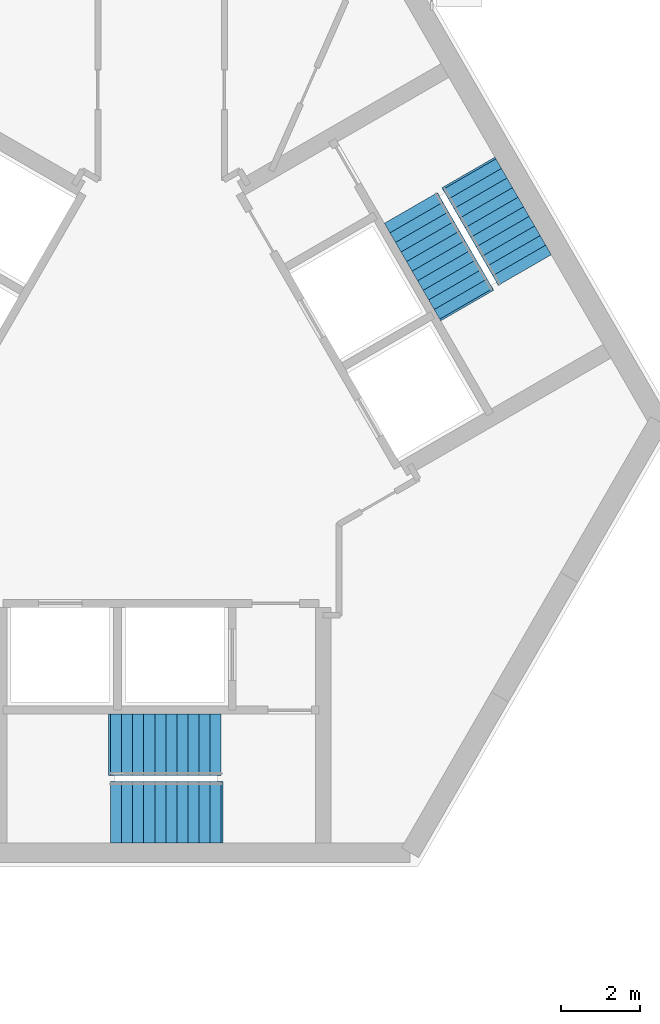
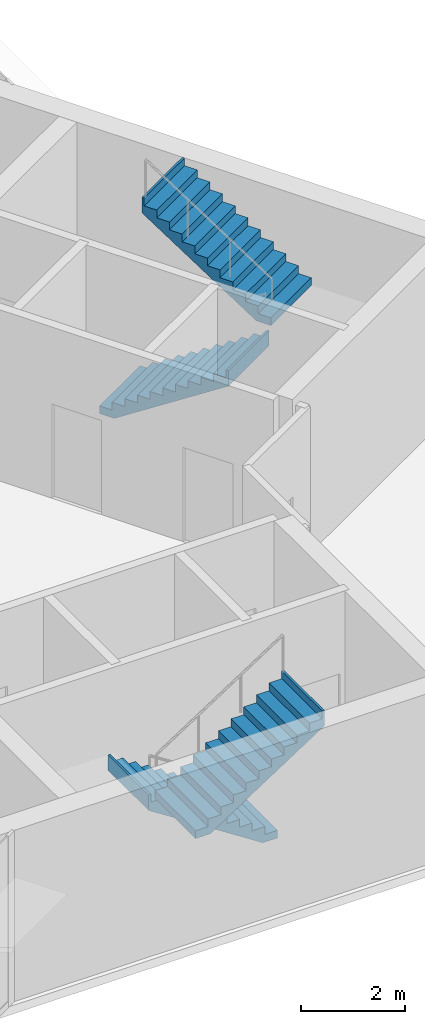
# One storey, part 17 of 18: 4 stair flights, 2 elements without a shape of their own.
"""IFC4 building model written with IfcOpenShell, lengths in metres."""

from ifc_helpers import new_model, si_unit, direction, frame, origin, place, context, subcontext, project, spatial, polyline, outline, extrude, material, type_object, element, aggregate, save


model = new_model("IFC4")

# Units and contexts
model_context = context("Model", 3, precision=1e-05, world=origin(), true_north=direction((0.0, 1.0)))
body_context = subcontext(model_context, "Body", "Model", "MODEL_VIEW")
ifc_project = project(units=[si_unit("LENGTHUNIT", "METRE"), si_unit("AREAUNIT", "SQUARE_METRE"), si_unit("VOLUMEUNIT", "CUBIC_METRE"), si_unit("PLANEANGLEUNIT", "RADIAN"), si_unit("MASSUNIT", "GRAM", prefix="KILO")], contexts=[model_context])

# Site, building, storey
site_placement = place(None, origin())
site = spatial("IfcSite", under=ifc_project, at=site_placement, CompositionType="ELEMENT")
building_placement = place(site_placement, origin())
building = spatial("IfcBuilding", under=site, at=building_placement, Name="Upepo Twin Towers", CompositionType="ELEMENT")
storey_placement = place(building_placement, frame((0.0, 0.0, 222.5)))
storey = spatial("IfcBuildingStorey", under=building, at=storey_placement, Name="L54", CompositionType="ELEMENT", Elevation=222.5)

# Stair, stair flights
ifc_material_1 = material(Name="Concrete C40/50", Category="concrete")
stair_type = type_object("IfcStairType", Name="Core stair, two flights", PredefinedType="HALF_TURN_STAIR", material=ifc_material_1)
stair_1_placement = place(storey_placement, origin())
stair_1 = element("IfcStair", 1, at=stair_1_placement, inside=storey, type_object=stair_type, Name="T2 stair S1 L54", PredefinedType="HALF_TURN_STAIR")
ifc_material_2 = material(Name="Concrete C40/50", Category="concrete")
stair_flight_type = type_object("IfcStairFlightType", Name="Stair flight 1550 RC", PredefinedType="STRAIGHT", material=ifc_material_2)
stair_flight_1_placement = place(storey_placement, frame((60.02001953125, -26.175048828125, 0.0), z_axis=(0.0, 0.0, 1.0), x_axis=(-1.0, 0.0, 0.0)))
stair_flight_1 = element("IfcStairFlight", 2, at=stair_flight_1_placement, type_object=stair_flight_type, Name="Stair S1 flight 1", NumberOfRisers=11, NumberOfTreads=10, PredefinedType="STRAIGHT", RiserHeight=0.181818182, TreadLength=0.28, context=body_context, shape_type="SweptSolid", body=[
    extrude(outline(polyline([(0.0, 0.0), (0.0, 0.181884765625), (0.280029296875, 0.181884765625), (0.280029296875, 0.363525390625), (0.56005859375, 0.363525390625), (0.56005859375, 0.54541015625), (0.840087890625, 0.54541015625), (0.840087890625, 0.727294921875), (1.1201171875, 0.727294921875), (1.1201171875, 0.9091796875), (1.39990234375, 0.9091796875), (1.39990234375, 1.0908203125), (1.679931640625, 1.0908203125), (1.679931640625, 1.272705078125), (1.9599609375, 1.272705078125), (1.9599609375, 1.45458984375), (2.239990234375, 1.45458984375), (2.239990234375, 1.636474609375), (2.52001953125, 1.636474609375), (2.52001953125, 1.818115234375), (2.800048828125, 1.818115234375), (2.800048828125, 2.0), (2.85009765625, 2.0), (2.85009765625, 1.639404296875), (0.3251953125, 0.0), (0.0, 0.0)])), frame((0.0, 0.77490234375, 0.0), z_axis=(0.0, -1.0, 0.0), x_axis=(1.0, 0.0, 0.0)), (0.0, 0.0, 1.0), 1.550048828125),
])
stair_flight_2_placement = place(storey_placement, frame((57.219970703125, -27.88330078125, 2.0), z_axis=(0.0, 0.0, 1.0), x_axis=(1.0, 0.0, 0.0)))
stair_flight_2 = element("IfcStairFlight", 3, at=stair_flight_2_placement, type_object=stair_flight_type, Name="Stair S1 flight 2", NumberOfRisers=11, NumberOfTreads=10, PredefinedType="STRAIGHT", RiserHeight=0.181818182, TreadLength=0.28, context=body_context, shape_type="SweptSolid", body=[
    extrude(outline(polyline([(0.0, 0.0), (0.0, 0.181884765625), (0.280029296875, 0.181884765625), (0.280029296875, 0.363525390625), (0.56005859375, 0.363525390625), (0.56005859375, 0.54541015625), (0.840087890625, 0.54541015625), (0.840087890625, 0.727294921875), (1.1201171875, 0.727294921875), (1.1201171875, 0.9091796875), (1.39990234375, 0.9091796875), (1.39990234375, 1.0908203125), (1.679931640625, 1.0908203125), (1.679931640625, 1.272705078125), (1.9599609375, 1.272705078125), (1.9599609375, 1.45458984375), (2.239990234375, 1.45458984375), (2.239990234375, 1.636474609375), (2.52001953125, 1.636474609375), (2.52001953125, 1.818115234375), (2.800048828125, 1.818115234375), (2.800048828125, 2.0), (2.85009765625, 2.0), (2.85009765625, 1.639404296875), (0.3251953125, 0.0), (0.0, 0.0)])), frame((0.0, 0.77490234375, 0.0), z_axis=(0.0, -1.0, 0.0), x_axis=(1.0, 0.0, 0.0)), (0.0, 0.0, 1.0), 1.550048828125),
])
aggregate(stair_1, [stair_flight_1, stair_flight_2])

stair_2_placement = place(storey_placement, origin())
stair_2 = element("IfcStair", 4, at=stair_2_placement, inside=storey, type_object=stair_type, Name="T2 stair S2 L54", PredefinedType="HALF_TURN_STAIR")
stair_flight_3_placement = place(storey_placement, frame((64.81982421875, -12.59619140625, 0.0), z_axis=(0.0, 0.0, 1.0), x_axis=(0.5, -0.866025403784, 0.0)))
stair_flight_3 = element("IfcStairFlight", 5, at=stair_flight_3_placement, type_object=stair_flight_type, Name="Stair S2 flight 1", NumberOfRisers=11, NumberOfTreads=10, PredefinedType="STRAIGHT", RiserHeight=0.181818182, TreadLength=0.28, context=body_context, shape_type="SweptSolid", body=[
    extrude(outline(polyline([(0.0, 0.0), (0.0, 0.181884765625), (0.280029296875, 0.181884765625), (0.280029296875, 0.363525390625), (0.56005859375, 0.363525390625), (0.56005859375, 0.54541015625), (0.840087890625, 0.54541015625), (0.840087890625, 0.727294921875), (1.1201171875, 0.727294921875), (1.1201171875, 0.9091796875), (1.39990234375, 0.9091796875), (1.39990234375, 1.0908203125), (1.679931640625, 1.0908203125), (1.679931640625, 1.272705078125), (1.9599609375, 1.272705078125), (1.9599609375, 1.45458984375), (2.239990234375, 1.45458984375), (2.239990234375, 1.636474609375), (2.52001953125, 1.636474609375), (2.52001953125, 1.818115234375), (2.800048828125, 1.818115234375), (2.800048828125, 2.0), (2.85009765625, 2.0), (2.85009765625, 1.639404296875), (0.3251953125, 0.0), (0.0, 0.0)])), frame((0.0, 0.77490234375, 0.0), z_axis=(0.0, -1.0, 0.0), x_axis=(1.0, 0.0, 0.0)), (0.0, 0.0, 1.0), 1.550048828125),
])
stair_flight_4_placement = place(storey_placement, frame((67.69921875, -14.166748046875, 2.0), z_axis=(0.0, 0.0, 1.0), x_axis=(-0.5, 0.866025403784, 0.0)))
stair_flight_4 = element("IfcStairFlight", 6, at=stair_flight_4_placement, type_object=stair_flight_type, Name="Stair S2 flight 2", NumberOfRisers=11, NumberOfTreads=10, PredefinedType="STRAIGHT", RiserHeight=0.181818182, TreadLength=0.28, context=body_context, shape_type="SweptSolid", body=[
    extrude(outline(polyline([(0.0, 0.0), (0.0, 0.181884765625), (0.280029296875, 0.181884765625), (0.280029296875, 0.363525390625), (0.56005859375, 0.363525390625), (0.56005859375, 0.54541015625), (0.840087890625, 0.54541015625), (0.840087890625, 0.727294921875), (1.1201171875, 0.727294921875), (1.1201171875, 0.9091796875), (1.39990234375, 0.9091796875), (1.39990234375, 1.0908203125), (1.679931640625, 1.0908203125), (1.679931640625, 1.272705078125), (1.9599609375, 1.272705078125), (1.9599609375, 1.45458984375), (2.239990234375, 1.45458984375), (2.239990234375, 1.636474609375), (2.52001953125, 1.636474609375), (2.52001953125, 1.818115234375), (2.800048828125, 1.818115234375), (2.800048828125, 2.0), (2.85009765625, 2.0), (2.85009765625, 1.639404296875), (0.3251953125, 0.0), (0.0, 0.0)])), frame((0.0, 0.77490234375, 0.0), z_axis=(0.0, -1.0, 0.0), x_axis=(1.0, 0.0, 0.0)), (0.0, 0.0, 1.0), 1.550048828125),
])
aggregate(stair_2, [stair_flight_3, stair_flight_4])

save(model, "model.ifc")
